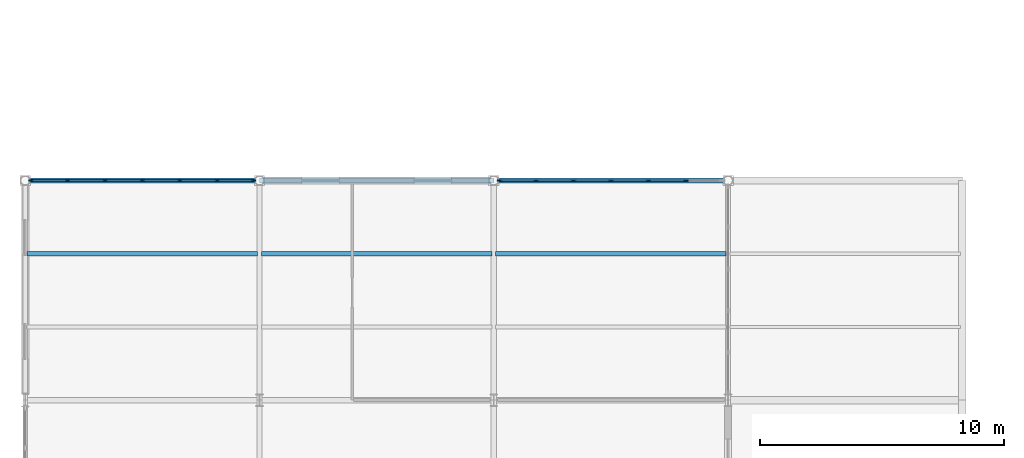
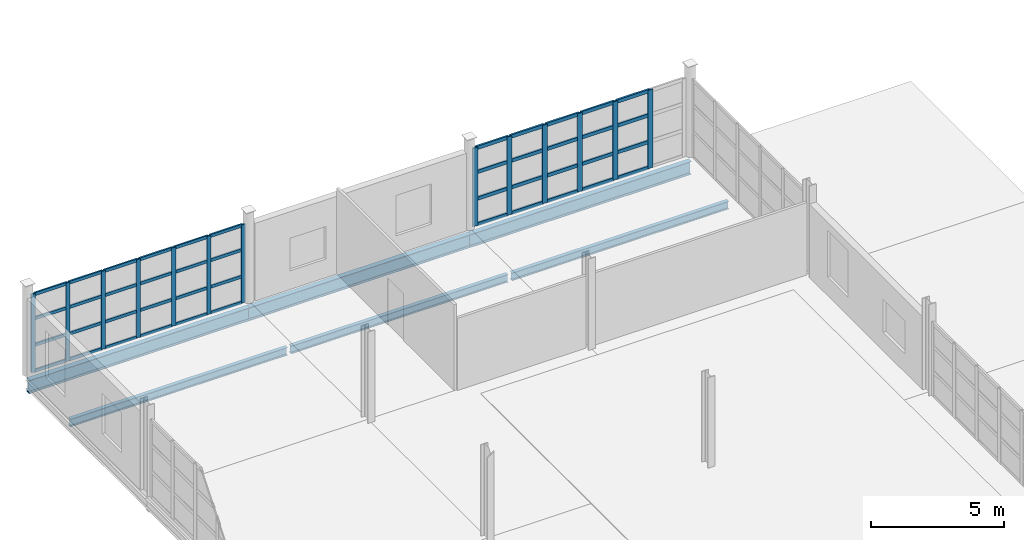
# One storey, part 30 of 82: 57 members, 6 beams, 2 elements without a shape of their own.
"""IFC4 building model written with IfcOpenShell, lengths in metres."""

from ifc_helpers import new_model, si_unit, direction, frame, origin, origin_2d, place, context, subcontext, project, spatial, rectangle, i_section, extrude, material, layer, layer_set, material_profile, profile_set, type_object, element, aggregate, save


model = new_model("IFC4")

# Units and contexts
model_context = context("Model", 3, precision=1e-05, world=origin(), true_north=direction((0.0, 1.0)))
body_context = subcontext(model_context, "Body", "Model", "MODEL_VIEW")
ifc_project = project(units=[si_unit("LENGTHUNIT", "METRE"), si_unit("AREAUNIT", "SQUARE_METRE"), si_unit("VOLUMEUNIT", "CUBIC_METRE"), si_unit("PLANEANGLEUNIT", "RADIAN"), si_unit("MASSUNIT", "GRAM", prefix="KILO")], contexts=[model_context])

# Site, building, storey
site_placement = place(None, origin())
site = spatial("IfcSite", under=ifc_project, at=site_placement, CompositionType="ELEMENT")
building_placement = place(site_placement, origin())
building = spatial("IfcBuilding", under=site, at=building_placement, Name="Zarnetskaya Central Station", CompositionType="ELEMENT")
storey_placement = place(building_placement, frame((0.0, 0.0, 10.199951171875)))
storey = spatial("IfcBuildingStorey", under=building, at=storey_placement, Name="L02", CompositionType="ELEMENT", Elevation=10.199951171875)

# Beams
ifc_material_1 = material(Name="Steel S355", Category="steel")
ifc_material_profile_1 = material_profile(ifc_material_1, i_section(OverallWidth=0.169921875, OverallDepth=0.360107421875, WebThickness=0.008056640625, FlangeThickness=0.0126953125, FilletRadius=0.01806640625, at=origin_2d()), Name="IPE 360")
ifc_profile_set_1 = profile_set([ifc_material_profile_1], Name="Steel S355")
beam_type_1 = type_object("IfcBeamType", Name="BM-SEC-360", PredefinedType="BEAM", material=ifc_profile_set_1)
beam_1_placement = place(storey_placement, frame((0.080078125, 64.199951171875, -0.43994140625), z_axis=(1.0, 0.0, 0.0), x_axis=(0.0, 1.0, 0.0)))
element("IfcBeam", 1, at=beam_1_placement, inside=storey, type_object=beam_type_1, Name="Secondary floor beam SEC-L02-Z994-AB-89-2", PredefinedType="BEAM", context=body_context, shape_type="SweptSolid", body=[
    extrude(i_section(OverallWidth=0.169921875, OverallDepth=0.360107421875, WebThickness=0.008056640625, FlangeThickness=0.0126953125, FilletRadius=0.01806640625, at=origin_2d()), origin(), (0.0, 0.0, 1.0), 9.43994140625),
])
beam_2_placement = place(storey_placement, frame((9.679931640625, 64.199951171875, -0.43994140625), z_axis=(1.0, 0.0, 0.0), x_axis=(0.0, 1.0, 0.0)))
element("IfcBeam", 2, at=beam_2_placement, inside=storey, type_object=beam_type_1, Name="Secondary floor beam SEC-L02-Z994-BC-89-2", PredefinedType="BEAM", context=body_context, shape_type="SweptSolid", body=[
    extrude(i_section(OverallWidth=0.169921875, OverallDepth=0.360107421875, WebThickness=0.008056640625, FlangeThickness=0.0126953125, FilletRadius=0.01806640625, at=origin_2d()), origin(), (0.0, 0.0, 1.0), 9.440185546875),
])
beam_3_placement = place(storey_placement, frame((19.280029296875, 64.199951171875, -0.43994140625), z_axis=(1.0, 0.0, 0.0), x_axis=(0.0, 1.0, 0.0)))
element("IfcBeam", 3, at=beam_3_placement, inside=storey, type_object=beam_type_1, Name="Secondary floor beam SEC-L02-Z994-CD-89-2", PredefinedType="BEAM", context=body_context, shape_type="SweptSolid", body=[
    extrude(i_section(OverallWidth=0.169921875, OverallDepth=0.360107421875, WebThickness=0.008056640625, FlangeThickness=0.0126953125, FilletRadius=0.01806640625, at=origin_2d()), origin(), (0.0, 0.0, 1.0), 9.43994140625),
])

# Curtain wall, members
ifc_material_2 = material(Name="Low-E insulated glass", Category="glass")
ifc_layer_1 = layer(ifc_material_2, 0.172119140625, Name="Low-E insulated glass", Category="glass")
ifc_layer_set_1 = layer_set([ifc_layer_1], Name="Low-E insulated glass")
curtain_wall_type_1 = type_object("IfcCurtainWallType", Name="CW-SYS-04", PredefinedType="USERDEFINED", material=ifc_layer_set_1)
curtain_wall_1_placement = place(storey_placement, origin())
curtain_wall_1 = element("IfcCurtainWall", 4, at=curtain_wall_1_placement, inside=storey, type_object=curtain_wall_type_1, Name="Curtain wall CW-L02-019", ObjectType="CURTAIN WALL", PredefinedType="USERDEFINED")
ifc_material_3 = material(Name="Anodised aluminium", Category="aluminium")
ifc_material_profile_2 = material_profile(ifc_material_3, rectangle(XDim=0.070068359375, YDim=0.179931640625, at=origin_2d()), Name="ALU MULL 70x180")
ifc_profile_set_2 = profile_set([ifc_material_profile_2], Name="Anodised aluminium")
member_type_1 = type_object("IfcMemberType", Name="CW-MULL-180", PredefinedType="MULLION", material=ifc_profile_set_2)
member_1_placement = place(storey_placement, frame((0.23828125, 67.199951171875, 0.0), z_axis=(0.0, 0.0, 1.0), x_axis=(0.0, 1.0, 0.0)))
member_1 = element("IfcMember", 5, at=member_1_placement, type_object=member_type_1, Name="CW-15 mullion 1", PredefinedType="MULLION", context=body_context, shape_type="SweptSolid", body=[
    extrude(rectangle(XDim=0.070068359375, YDim=0.179931640625, at=origin_2d()), origin(), (0.0, 0.0, 1.0), 3.60009765625),
])
member_2_placement = place(storey_placement, frame((1.7353515625, 67.199951171875, 0.0), z_axis=(0.0, 0.0, 1.0), x_axis=(0.0, 1.0, 0.0)))
member_2 = element("IfcMember", 6, at=member_2_placement, type_object=member_type_1, Name="CW-15 mullion 2", PredefinedType="MULLION", context=body_context, shape_type="SweptSolid", body=[
    extrude(rectangle(XDim=0.070068359375, YDim=0.179931640625, at=origin_2d()), origin(), (0.0, 0.0, 1.0), 3.60009765625),
])
member_3_placement = place(storey_placement, frame((3.267822265625, 67.199951171875, 0.0), z_axis=(0.0, 0.0, 1.0), x_axis=(0.0, 1.0, 0.0)))
member_3 = element("IfcMember", 7, at=member_3_placement, type_object=member_type_1, Name="CW-15 mullion 3", PredefinedType="MULLION", context=body_context, shape_type="SweptSolid", body=[
    extrude(rectangle(XDim=0.070068359375, YDim=0.179931640625, at=origin_2d()), origin(), (0.0, 0.0, 1.0), 3.60009765625),
])
member_4_placement = place(storey_placement, frame((4.800048828125, 67.199951171875, 0.0), z_axis=(0.0, 0.0, 1.0), x_axis=(0.0, 1.0, 0.0)))
member_4 = element("IfcMember", 8, at=member_4_placement, type_object=member_type_1, Name="CW-15 mullion 4", PredefinedType="MULLION", context=body_context, shape_type="SweptSolid", body=[
    extrude(rectangle(XDim=0.070068359375, YDim=0.179931640625, at=origin_2d()), origin(), (0.0, 0.0, 1.0), 3.60009765625),
])
member_5_placement = place(storey_placement, frame((6.332275390625, 67.199951171875, 0.0), z_axis=(0.0, 0.0, 1.0), x_axis=(0.0, 1.0, 0.0)))
member_5 = element("IfcMember", 9, at=member_5_placement, type_object=member_type_1, Name="CW-15 mullion 5", PredefinedType="MULLION", context=body_context, shape_type="SweptSolid", body=[
    extrude(rectangle(XDim=0.070068359375, YDim=0.179931640625, at=origin_2d()), origin(), (0.0, 0.0, 1.0), 3.60009765625),
])
member_6_placement = place(storey_placement, frame((7.864501953125, 67.199951171875, 0.0), z_axis=(0.0, 0.0, 1.0), x_axis=(0.0, 1.0, 0.0)))
member_6 = element("IfcMember", 10, at=member_6_placement, type_object=member_type_1, Name="CW-15 mullion 6", PredefinedType="MULLION", context=body_context, shape_type="SweptSolid", body=[
    extrude(rectangle(XDim=0.070068359375, YDim=0.179931640625, at=origin_2d()), origin(), (0.0, 0.0, 1.0), 3.60009765625),
])
member_7_placement = place(storey_placement, frame((9.36181640625, 67.199951171875, 0.0), z_axis=(0.0, 0.0, 1.0), x_axis=(0.0, 1.0, 0.0)))
member_7 = element("IfcMember", 11, at=member_7_placement, type_object=member_type_1, Name="CW-15 mullion 7", PredefinedType="MULLION", context=body_context, shape_type="SweptSolid", body=[
    extrude(rectangle(XDim=0.070068359375, YDim=0.179931640625, at=origin_2d()), origin(), (0.0, 0.0, 1.0), 3.60009765625),
])

ifc_layer_2 = layer(ifc_material_2, 0.159912109375, Name="Low-E insulated glass", Category="glass")
ifc_layer_set_2 = layer_set([ifc_layer_2], Name="Low-E insulated glass")
curtain_wall_type_2 = type_object("IfcCurtainWallType", Name="CW-SYS-06", PredefinedType="USERDEFINED", material=ifc_layer_set_2)
curtain_wall_2_placement = place(storey_placement, origin())
curtain_wall_2 = element("IfcCurtainWall", 12, at=curtain_wall_2_placement, inside=storey, type_object=curtain_wall_type_2, Name="Curtain wall CW-L02-020", ObjectType="CURTAIN WALL", PredefinedType="USERDEFINED")
ifc_material_profile_3 = material_profile(ifc_material_3, rectangle(XDim=0.080078125, YDim=0.219970703125, at=origin_2d()), Name="ALU MULL 80x220")
ifc_profile_set_3 = profile_set([ifc_material_profile_3], Name="Anodised aluminium")
member_type_2 = type_object("IfcMemberType", Name="CW-MULL-220", PredefinedType="MULLION", material=ifc_profile_set_3)
member_8_placement = place(storey_placement, frame((19.443115234375, 67.199951171875, 0.0), z_axis=(0.0, 0.0, 1.0), x_axis=(0.0, 1.0, 0.0)))
member_8 = element("IfcMember", 13, at=member_8_placement, type_object=member_type_2, Name="CW-02 mullion 1", PredefinedType="MULLION", context=body_context, shape_type="SweptSolid", body=[
    extrude(rectangle(XDim=0.080078125, YDim=0.219970703125, at=origin_2d()), origin(), (0.0, 0.0, 1.0), 3.60009765625),
])
member_9_placement = place(storey_placement, frame((20.935546875, 67.199951171875, 0.0), z_axis=(0.0, 0.0, 1.0), x_axis=(0.0, 1.0, 0.0)))
member_9 = element("IfcMember", 14, at=member_9_placement, type_object=member_type_2, Name="CW-02 mullion 2", PredefinedType="MULLION", context=body_context, shape_type="SweptSolid", body=[
    extrude(rectangle(XDim=0.080078125, YDim=0.219970703125, at=origin_2d()), origin(), (0.0, 0.0, 1.0), 3.60009765625),
])
member_10_placement = place(storey_placement, frame((22.4677734375, 67.199951171875, 0.0), z_axis=(0.0, 0.0, 1.0), x_axis=(0.0, 1.0, 0.0)))
member_10 = element("IfcMember", 15, at=member_10_placement, type_object=member_type_2, Name="CW-02 mullion 3", PredefinedType="MULLION", context=body_context, shape_type="SweptSolid", body=[
    extrude(rectangle(XDim=0.080078125, YDim=0.219970703125, at=origin_2d()), origin(), (0.0, 0.0, 1.0), 3.60009765625),
])
member_11_placement = place(storey_placement, frame((24.0, 67.199951171875, 0.0), z_axis=(0.0, 0.0, 1.0), x_axis=(0.0, 1.0, 0.0)))
member_11 = element("IfcMember", 16, at=member_11_placement, type_object=member_type_2, Name="CW-02 mullion 4", PredefinedType="MULLION", context=body_context, shape_type="SweptSolid", body=[
    extrude(rectangle(XDim=0.080078125, YDim=0.219970703125, at=origin_2d()), origin(), (0.0, 0.0, 1.0), 3.60009765625),
])
member_12_placement = place(storey_placement, frame((25.5322265625, 67.199951171875, 0.0), z_axis=(0.0, 0.0, 1.0), x_axis=(0.0, 1.0, 0.0)))
member_12 = element("IfcMember", 17, at=member_12_placement, type_object=member_type_2, Name="CW-02 mullion 5", PredefinedType="MULLION", context=body_context, shape_type="SweptSolid", body=[
    extrude(rectangle(XDim=0.080078125, YDim=0.219970703125, at=origin_2d()), origin(), (0.0, 0.0, 1.0), 3.60009765625),
])
member_13_placement = place(storey_placement, frame((27.064453125, 67.199951171875, 0.0), z_axis=(0.0, 0.0, 1.0), x_axis=(0.0, 1.0, 0.0)))
member_13 = element("IfcMember", 18, at=member_13_placement, type_object=member_type_2, Name="CW-02 mullion 6", PredefinedType="MULLION", context=body_context, shape_type="SweptSolid", body=[
    extrude(rectangle(XDim=0.080078125, YDim=0.219970703125, at=origin_2d()), origin(), (0.0, 0.0, 1.0), 3.60009765625),
])

# Member
ifc_material_profile_4 = material_profile(ifc_material_3, rectangle(XDim=0.070068359375, YDim=0.139892578125, at=origin_2d()), Name="ALU TRAN 70x140")
ifc_profile_set_4 = profile_set([ifc_material_profile_4], Name="Anodised aluminium")
member_type_3 = type_object("IfcMemberType", Name="CW-TRAN-140", PredefinedType="USERDEFINED", material=ifc_profile_set_4)
member_14_placement = place(storey_placement, frame((0.273193359375, 67.199951171875, 0.03515625), z_axis=(1.0, 0.0, 0.0), x_axis=(0.0, 1.0, 0.0)))
member_14 = element("IfcMember", 19, at=member_14_placement, type_object=member_type_3, Name="CW-15 transom 1.1", ObjectType="TRANSOM", PredefinedType="USERDEFINED", context=body_context, shape_type="SweptSolid", body=[
    extrude(rectangle(XDim=0.070068359375, YDim=0.139892578125, at=origin_2d()), origin(), (0.0, 0.0, 1.0), 1.42724609375),
])

member_15_placement = place(storey_placement, frame((0.273193359375, 67.199951171875, 1.22412109375), z_axis=(1.0, 0.0, 0.0), x_axis=(0.0, 1.0, 0.0)))
member_15 = element("IfcMember", 20, at=member_15_placement, type_object=member_type_3, Name="CW-15 transom 1.2", ObjectType="TRANSOM", PredefinedType="USERDEFINED", context=body_context, shape_type="SweptSolid", body=[
    extrude(rectangle(XDim=0.070068359375, YDim=0.139892578125, at=origin_2d()), origin(), (0.0, 0.0, 1.0), 1.42724609375),
])

member_16_placement = place(storey_placement, frame((0.273193359375, 67.199951171875, 2.447998046875), z_axis=(1.0, 0.0, 0.0), x_axis=(0.0, 1.0, 0.0)))
member_16 = element("IfcMember", 21, at=member_16_placement, type_object=member_type_3, Name="CW-15 transom 1.3", ObjectType="TRANSOM", PredefinedType="USERDEFINED", context=body_context, shape_type="SweptSolid", body=[
    extrude(rectangle(XDim=0.070068359375, YDim=0.139892578125, at=origin_2d()), origin(), (0.0, 0.0, 1.0), 1.42724609375),
])

member_17_placement = place(storey_placement, frame((0.273193359375, 67.199951171875, 3.56494140625), z_axis=(1.0, 0.0, 0.0), x_axis=(0.0, 1.0, 0.0)))
member_17 = element("IfcMember", 22, at=member_17_placement, type_object=member_type_3, Name="CW-15 transom 1.4", ObjectType="TRANSOM", PredefinedType="USERDEFINED", context=body_context, shape_type="SweptSolid", body=[
    extrude(rectangle(XDim=0.070068359375, YDim=0.139892578125, at=origin_2d()), origin(), (0.0, 0.0, 1.0), 1.42724609375),
])

member_18_placement = place(storey_placement, frame((1.7705078125, 67.199951171875, 0.03515625), z_axis=(1.0, 0.0, 0.0), x_axis=(0.0, 1.0, 0.0)))
member_18 = element("IfcMember", 23, at=member_18_placement, type_object=member_type_3, Name="CW-15 transom 2.1", ObjectType="TRANSOM", PredefinedType="USERDEFINED", context=body_context, shape_type="SweptSolid", body=[
    extrude(rectangle(XDim=0.070068359375, YDim=0.139892578125, at=origin_2d()), origin(), (0.0, 0.0, 1.0), 1.462158203125),
])

member_19_placement = place(storey_placement, frame((1.7705078125, 67.199951171875, 1.22412109375), z_axis=(1.0, 0.0, 0.0), x_axis=(0.0, 1.0, 0.0)))
member_19 = element("IfcMember", 24, at=member_19_placement, type_object=member_type_3, Name="CW-15 transom 2.2", ObjectType="TRANSOM", PredefinedType="USERDEFINED", context=body_context, shape_type="SweptSolid", body=[
    extrude(rectangle(XDim=0.070068359375, YDim=0.139892578125, at=origin_2d()), origin(), (0.0, 0.0, 1.0), 1.462158203125),
])

member_20_placement = place(storey_placement, frame((1.7705078125, 67.199951171875, 2.447998046875), z_axis=(1.0, 0.0, 0.0), x_axis=(0.0, 1.0, 0.0)))
member_20 = element("IfcMember", 25, at=member_20_placement, type_object=member_type_3, Name="CW-15 transom 2.3", ObjectType="TRANSOM", PredefinedType="USERDEFINED", context=body_context, shape_type="SweptSolid", body=[
    extrude(rectangle(XDim=0.070068359375, YDim=0.139892578125, at=origin_2d()), origin(), (0.0, 0.0, 1.0), 1.462158203125),
])

member_21_placement = place(storey_placement, frame((1.7705078125, 67.199951171875, 3.56494140625), z_axis=(1.0, 0.0, 0.0), x_axis=(0.0, 1.0, 0.0)))
member_21 = element("IfcMember", 26, at=member_21_placement, type_object=member_type_3, Name="CW-15 transom 2.4", ObjectType="TRANSOM", PredefinedType="USERDEFINED", context=body_context, shape_type="SweptSolid", body=[
    extrude(rectangle(XDim=0.070068359375, YDim=0.139892578125, at=origin_2d()), origin(), (0.0, 0.0, 1.0), 1.462158203125),
])

member_22_placement = place(storey_placement, frame((3.302734375, 67.199951171875, 0.03515625), z_axis=(1.0, 0.0, 0.0), x_axis=(0.0, 1.0, 0.0)))
member_22 = element("IfcMember", 27, at=member_22_placement, type_object=member_type_3, Name="CW-15 transom 3.1", ObjectType="TRANSOM", PredefinedType="USERDEFINED", context=body_context, shape_type="SweptSolid", body=[
    extrude(rectangle(XDim=0.070068359375, YDim=0.139892578125, at=origin_2d()), origin(), (0.0, 0.0, 1.0), 1.462158203125),
])

member_23_placement = place(storey_placement, frame((3.302734375, 67.199951171875, 1.22412109375), z_axis=(1.0, 0.0, 0.0), x_axis=(0.0, 1.0, 0.0)))
member_23 = element("IfcMember", 28, at=member_23_placement, type_object=member_type_3, Name="CW-15 transom 3.2", ObjectType="TRANSOM", PredefinedType="USERDEFINED", context=body_context, shape_type="SweptSolid", body=[
    extrude(rectangle(XDim=0.070068359375, YDim=0.139892578125, at=origin_2d()), origin(), (0.0, 0.0, 1.0), 1.462158203125),
])

member_24_placement = place(storey_placement, frame((3.302734375, 67.199951171875, 2.447998046875), z_axis=(1.0, 0.0, 0.0), x_axis=(0.0, 1.0, 0.0)))
member_24 = element("IfcMember", 29, at=member_24_placement, type_object=member_type_3, Name="CW-15 transom 3.3", ObjectType="TRANSOM", PredefinedType="USERDEFINED", context=body_context, shape_type="SweptSolid", body=[
    extrude(rectangle(XDim=0.070068359375, YDim=0.139892578125, at=origin_2d()), origin(), (0.0, 0.0, 1.0), 1.462158203125),
])

member_25_placement = place(storey_placement, frame((3.302734375, 67.199951171875, 3.56494140625), z_axis=(1.0, 0.0, 0.0), x_axis=(0.0, 1.0, 0.0)))
member_25 = element("IfcMember", 30, at=member_25_placement, type_object=member_type_3, Name="CW-15 transom 3.4", ObjectType="TRANSOM", PredefinedType="USERDEFINED", context=body_context, shape_type="SweptSolid", body=[
    extrude(rectangle(XDim=0.070068359375, YDim=0.139892578125, at=origin_2d()), origin(), (0.0, 0.0, 1.0), 1.462158203125),
])

member_26_placement = place(storey_placement, frame((4.8349609375, 67.199951171875, 0.03515625), z_axis=(1.0, 0.0, 0.0), x_axis=(0.0, 1.0, 0.0)))
member_26 = element("IfcMember", 31, at=member_26_placement, type_object=member_type_3, Name="CW-15 transom 4.1", ObjectType="TRANSOM", PredefinedType="USERDEFINED", context=body_context, shape_type="SweptSolid", body=[
    extrude(rectangle(XDim=0.070068359375, YDim=0.139892578125, at=origin_2d()), origin(), (0.0, 0.0, 1.0), 1.46240234375),
])

member_27_placement = place(storey_placement, frame((4.8349609375, 67.199951171875, 1.22412109375), z_axis=(1.0, 0.0, 0.0), x_axis=(0.0, 1.0, 0.0)))
member_27 = element("IfcMember", 32, at=member_27_placement, type_object=member_type_3, Name="CW-15 transom 4.2", ObjectType="TRANSOM", PredefinedType="USERDEFINED", context=body_context, shape_type="SweptSolid", body=[
    extrude(rectangle(XDim=0.070068359375, YDim=0.139892578125, at=origin_2d()), origin(), (0.0, 0.0, 1.0), 1.46240234375),
])

member_28_placement = place(storey_placement, frame((4.8349609375, 67.199951171875, 2.447998046875), z_axis=(1.0, 0.0, 0.0), x_axis=(0.0, 1.0, 0.0)))
member_28 = element("IfcMember", 33, at=member_28_placement, type_object=member_type_3, Name="CW-15 transom 4.3", ObjectType="TRANSOM", PredefinedType="USERDEFINED", context=body_context, shape_type="SweptSolid", body=[
    extrude(rectangle(XDim=0.070068359375, YDim=0.139892578125, at=origin_2d()), origin(), (0.0, 0.0, 1.0), 1.46240234375),
])

member_29_placement = place(storey_placement, frame((4.8349609375, 67.199951171875, 3.56494140625), z_axis=(1.0, 0.0, 0.0), x_axis=(0.0, 1.0, 0.0)))
member_29 = element("IfcMember", 34, at=member_29_placement, type_object=member_type_3, Name="CW-15 transom 4.4", ObjectType="TRANSOM", PredefinedType="USERDEFINED", context=body_context, shape_type="SweptSolid", body=[
    extrude(rectangle(XDim=0.070068359375, YDim=0.139892578125, at=origin_2d()), origin(), (0.0, 0.0, 1.0), 1.46240234375),
])

member_30_placement = place(storey_placement, frame((6.3671875, 67.199951171875, 0.03515625), z_axis=(1.0, 0.0, 0.0), x_axis=(0.0, 1.0, 0.0)))
member_30 = element("IfcMember", 35, at=member_30_placement, type_object=member_type_3, Name="CW-15 transom 5.1", ObjectType="TRANSOM", PredefinedType="USERDEFINED", context=body_context, shape_type="SweptSolid", body=[
    extrude(rectangle(XDim=0.070068359375, YDim=0.139892578125, at=origin_2d()), origin(), (0.0, 0.0, 1.0), 1.46240234375),
])

member_31_placement = place(storey_placement, frame((6.3671875, 67.199951171875, 1.22412109375), z_axis=(1.0, 0.0, 0.0), x_axis=(0.0, 1.0, 0.0)))
member_31 = element("IfcMember", 36, at=member_31_placement, type_object=member_type_3, Name="CW-15 transom 5.2", ObjectType="TRANSOM", PredefinedType="USERDEFINED", context=body_context, shape_type="SweptSolid", body=[
    extrude(rectangle(XDim=0.070068359375, YDim=0.139892578125, at=origin_2d()), origin(), (0.0, 0.0, 1.0), 1.46240234375),
])

member_32_placement = place(storey_placement, frame((6.3671875, 67.199951171875, 2.447998046875), z_axis=(1.0, 0.0, 0.0), x_axis=(0.0, 1.0, 0.0)))
member_32 = element("IfcMember", 37, at=member_32_placement, type_object=member_type_3, Name="CW-15 transom 5.3", ObjectType="TRANSOM", PredefinedType="USERDEFINED", context=body_context, shape_type="SweptSolid", body=[
    extrude(rectangle(XDim=0.070068359375, YDim=0.139892578125, at=origin_2d()), origin(), (0.0, 0.0, 1.0), 1.46240234375),
])

member_33_placement = place(storey_placement, frame((6.3671875, 67.199951171875, 3.56494140625), z_axis=(1.0, 0.0, 0.0), x_axis=(0.0, 1.0, 0.0)))
member_33 = element("IfcMember", 38, at=member_33_placement, type_object=member_type_3, Name="CW-15 transom 5.4", ObjectType="TRANSOM", PredefinedType="USERDEFINED", context=body_context, shape_type="SweptSolid", body=[
    extrude(rectangle(XDim=0.070068359375, YDim=0.139892578125, at=origin_2d()), origin(), (0.0, 0.0, 1.0), 1.46240234375),
])

member_34_placement = place(storey_placement, frame((7.8994140625, 67.199951171875, 0.03515625), z_axis=(1.0, 0.0, 0.0), x_axis=(0.0, 1.0, 0.0)))
member_34 = element("IfcMember", 39, at=member_34_placement, type_object=member_type_3, Name="CW-15 transom 6.1", ObjectType="TRANSOM", PredefinedType="USERDEFINED", context=body_context, shape_type="SweptSolid", body=[
    extrude(rectangle(XDim=0.070068359375, YDim=0.139892578125, at=origin_2d()), origin(), (0.0, 0.0, 1.0), 1.427490234375),
])

member_35_placement = place(storey_placement, frame((7.8994140625, 67.199951171875, 1.22412109375), z_axis=(1.0, 0.0, 0.0), x_axis=(0.0, 1.0, 0.0)))
member_35 = element("IfcMember", 40, at=member_35_placement, type_object=member_type_3, Name="CW-15 transom 6.2", ObjectType="TRANSOM", PredefinedType="USERDEFINED", context=body_context, shape_type="SweptSolid", body=[
    extrude(rectangle(XDim=0.070068359375, YDim=0.139892578125, at=origin_2d()), origin(), (0.0, 0.0, 1.0), 1.427490234375),
])

member_36_placement = place(storey_placement, frame((7.8994140625, 67.199951171875, 2.447998046875), z_axis=(1.0, 0.0, 0.0), x_axis=(0.0, 1.0, 0.0)))
member_36 = element("IfcMember", 41, at=member_36_placement, type_object=member_type_3, Name="CW-15 transom 6.3", ObjectType="TRANSOM", PredefinedType="USERDEFINED", context=body_context, shape_type="SweptSolid", body=[
    extrude(rectangle(XDim=0.070068359375, YDim=0.139892578125, at=origin_2d()), origin(), (0.0, 0.0, 1.0), 1.427490234375),
])

member_37_placement = place(storey_placement, frame((7.8994140625, 67.199951171875, 3.56494140625), z_axis=(1.0, 0.0, 0.0), x_axis=(0.0, 1.0, 0.0)))
member_37 = element("IfcMember", 42, at=member_37_placement, type_object=member_type_3, Name="CW-15 transom 6.4", ObjectType="TRANSOM", PredefinedType="USERDEFINED", context=body_context, shape_type="SweptSolid", body=[
    extrude(rectangle(XDim=0.070068359375, YDim=0.139892578125, at=origin_2d()), origin(), (0.0, 0.0, 1.0), 1.427490234375),
])

aggregate(curtain_wall_1, [member_1, member_2, member_3, member_4, member_5, member_6, member_7, member_14, member_15, member_16, member_17, member_18, member_19, member_20, member_21, member_22, member_23, member_24, member_25, member_26, member_27, member_28, member_29, member_30, member_31, member_32, member_33, member_34, member_35, member_36, member_37])

ifc_material_profile_5 = material_profile(ifc_material_3, rectangle(XDim=0.080078125, YDim=0.159912109375, at=origin_2d()), Name="ALU TRAN 80x160")
ifc_profile_set_5 = profile_set([ifc_material_profile_5], Name="Anodised aluminium")
member_type_4 = type_object("IfcMemberType", Name="CW-TRAN-160", PredefinedType="USERDEFINED", material=ifc_profile_set_5)
member_38_placement = place(storey_placement, frame((19.483154296875, 67.199951171875, 0.0400390625), z_axis=(1.0, 0.0, 0.0), x_axis=(0.0, 1.0, 0.0)))
member_38 = element("IfcMember", 43, at=member_38_placement, type_object=member_type_4, Name="CW-02 transom 1.1", ObjectType="TRANSOM", PredefinedType="USERDEFINED", context=body_context, shape_type="SweptSolid", body=[
    extrude(rectangle(XDim=0.080078125, YDim=0.159912109375, at=origin_2d()), origin(), (0.0, 0.0, 1.0), 1.412353515625),
])

member_39_placement = place(storey_placement, frame((19.483154296875, 67.199951171875, 1.22412109375), z_axis=(1.0, 0.0, 0.0), x_axis=(0.0, 1.0, 0.0)))
member_39 = element("IfcMember", 44, at=member_39_placement, type_object=member_type_4, Name="CW-02 transom 1.2", ObjectType="TRANSOM", PredefinedType="USERDEFINED", context=body_context, shape_type="SweptSolid", body=[
    extrude(rectangle(XDim=0.080078125, YDim=0.159912109375, at=origin_2d()), origin(), (0.0, 0.0, 1.0), 1.412353515625),
])

member_40_placement = place(storey_placement, frame((19.483154296875, 67.199951171875, 2.447998046875), z_axis=(1.0, 0.0, 0.0), x_axis=(0.0, 1.0, 0.0)))
member_40 = element("IfcMember", 45, at=member_40_placement, type_object=member_type_4, Name="CW-02 transom 1.3", ObjectType="TRANSOM", PredefinedType="USERDEFINED", context=body_context, shape_type="SweptSolid", body=[
    extrude(rectangle(XDim=0.080078125, YDim=0.159912109375, at=origin_2d()), origin(), (0.0, 0.0, 1.0), 1.412353515625),
])

member_41_placement = place(storey_placement, frame((19.483154296875, 67.199951171875, 3.56005859375), z_axis=(1.0, 0.0, 0.0), x_axis=(0.0, 1.0, 0.0)))
member_41 = element("IfcMember", 46, at=member_41_placement, type_object=member_type_4, Name="CW-02 transom 1.4", ObjectType="TRANSOM", PredefinedType="USERDEFINED", context=body_context, shape_type="SweptSolid", body=[
    extrude(rectangle(XDim=0.080078125, YDim=0.159912109375, at=origin_2d()), origin(), (0.0, 0.0, 1.0), 1.412353515625),
])

member_42_placement = place(storey_placement, frame((20.9755859375, 67.199951171875, 0.0400390625), z_axis=(1.0, 0.0, 0.0), x_axis=(0.0, 1.0, 0.0)))
member_42 = element("IfcMember", 47, at=member_42_placement, type_object=member_type_4, Name="CW-02 transom 2.1", ObjectType="TRANSOM", PredefinedType="USERDEFINED", context=body_context, shape_type="SweptSolid", body=[
    extrude(rectangle(XDim=0.080078125, YDim=0.159912109375, at=origin_2d()), origin(), (0.0, 0.0, 1.0), 1.4521484375),
])

member_43_placement = place(storey_placement, frame((20.9755859375, 67.199951171875, 1.22412109375), z_axis=(1.0, 0.0, 0.0), x_axis=(0.0, 1.0, 0.0)))
member_43 = element("IfcMember", 48, at=member_43_placement, type_object=member_type_4, Name="CW-02 transom 2.2", ObjectType="TRANSOM", PredefinedType="USERDEFINED", context=body_context, shape_type="SweptSolid", body=[
    extrude(rectangle(XDim=0.080078125, YDim=0.159912109375, at=origin_2d()), origin(), (0.0, 0.0, 1.0), 1.4521484375),
])

member_44_placement = place(storey_placement, frame((20.9755859375, 67.199951171875, 2.447998046875), z_axis=(1.0, 0.0, 0.0), x_axis=(0.0, 1.0, 0.0)))
member_44 = element("IfcMember", 49, at=member_44_placement, type_object=member_type_4, Name="CW-02 transom 2.3", ObjectType="TRANSOM", PredefinedType="USERDEFINED", context=body_context, shape_type="SweptSolid", body=[
    extrude(rectangle(XDim=0.080078125, YDim=0.159912109375, at=origin_2d()), origin(), (0.0, 0.0, 1.0), 1.4521484375),
])

member_45_placement = place(storey_placement, frame((20.9755859375, 67.199951171875, 3.56005859375), z_axis=(1.0, 0.0, 0.0), x_axis=(0.0, 1.0, 0.0)))
member_45 = element("IfcMember", 50, at=member_45_placement, type_object=member_type_4, Name="CW-02 transom 2.4", ObjectType="TRANSOM", PredefinedType="USERDEFINED", context=body_context, shape_type="SweptSolid", body=[
    extrude(rectangle(XDim=0.080078125, YDim=0.159912109375, at=origin_2d()), origin(), (0.0, 0.0, 1.0), 1.4521484375),
])

member_46_placement = place(storey_placement, frame((22.5078125, 67.199951171875, 0.0400390625), z_axis=(1.0, 0.0, 0.0), x_axis=(0.0, 1.0, 0.0)))
member_46 = element("IfcMember", 51, at=member_46_placement, type_object=member_type_4, Name="CW-02 transom 3.1", ObjectType="TRANSOM", PredefinedType="USERDEFINED", context=body_context, shape_type="SweptSolid", body=[
    extrude(rectangle(XDim=0.080078125, YDim=0.159912109375, at=origin_2d()), origin(), (0.0, 0.0, 1.0), 1.4521484375),
])

member_47_placement = place(storey_placement, frame((22.5078125, 67.199951171875, 1.22412109375), z_axis=(1.0, 0.0, 0.0), x_axis=(0.0, 1.0, 0.0)))
member_47 = element("IfcMember", 52, at=member_47_placement, type_object=member_type_4, Name="CW-02 transom 3.2", ObjectType="TRANSOM", PredefinedType="USERDEFINED", context=body_context, shape_type="SweptSolid", body=[
    extrude(rectangle(XDim=0.080078125, YDim=0.159912109375, at=origin_2d()), origin(), (0.0, 0.0, 1.0), 1.4521484375),
])

member_48_placement = place(storey_placement, frame((22.5078125, 67.199951171875, 2.447998046875), z_axis=(1.0, 0.0, 0.0), x_axis=(0.0, 1.0, 0.0)))
member_48 = element("IfcMember", 53, at=member_48_placement, type_object=member_type_4, Name="CW-02 transom 3.3", ObjectType="TRANSOM", PredefinedType="USERDEFINED", context=body_context, shape_type="SweptSolid", body=[
    extrude(rectangle(XDim=0.080078125, YDim=0.159912109375, at=origin_2d()), origin(), (0.0, 0.0, 1.0), 1.4521484375),
])

member_49_placement = place(storey_placement, frame((22.5078125, 67.199951171875, 3.56005859375), z_axis=(1.0, 0.0, 0.0), x_axis=(0.0, 1.0, 0.0)))
member_49 = element("IfcMember", 54, at=member_49_placement, type_object=member_type_4, Name="CW-02 transom 3.4", ObjectType="TRANSOM", PredefinedType="USERDEFINED", context=body_context, shape_type="SweptSolid", body=[
    extrude(rectangle(XDim=0.080078125, YDim=0.159912109375, at=origin_2d()), origin(), (0.0, 0.0, 1.0), 1.4521484375),
])

member_50_placement = place(storey_placement, frame((24.0400390625, 67.199951171875, 0.0400390625), z_axis=(1.0, 0.0, 0.0), x_axis=(0.0, 1.0, 0.0)))
member_50 = element("IfcMember", 55, at=member_50_placement, type_object=member_type_4, Name="CW-02 transom 4.1", ObjectType="TRANSOM", PredefinedType="USERDEFINED", context=body_context, shape_type="SweptSolid", body=[
    extrude(rectangle(XDim=0.080078125, YDim=0.159912109375, at=origin_2d()), origin(), (0.0, 0.0, 1.0), 1.4521484375),
])

member_51_placement = place(storey_placement, frame((24.0400390625, 67.199951171875, 1.22412109375), z_axis=(1.0, 0.0, 0.0), x_axis=(0.0, 1.0, 0.0)))
member_51 = element("IfcMember", 56, at=member_51_placement, type_object=member_type_4, Name="CW-02 transom 4.2", ObjectType="TRANSOM", PredefinedType="USERDEFINED", context=body_context, shape_type="SweptSolid", body=[
    extrude(rectangle(XDim=0.080078125, YDim=0.159912109375, at=origin_2d()), origin(), (0.0, 0.0, 1.0), 1.4521484375),
])

member_52_placement = place(storey_placement, frame((24.0400390625, 67.199951171875, 2.447998046875), z_axis=(1.0, 0.0, 0.0), x_axis=(0.0, 1.0, 0.0)))
member_52 = element("IfcMember", 57, at=member_52_placement, type_object=member_type_4, Name="CW-02 transom 4.3", ObjectType="TRANSOM", PredefinedType="USERDEFINED", context=body_context, shape_type="SweptSolid", body=[
    extrude(rectangle(XDim=0.080078125, YDim=0.159912109375, at=origin_2d()), origin(), (0.0, 0.0, 1.0), 1.4521484375),
])

member_53_placement = place(storey_placement, frame((24.0400390625, 67.199951171875, 3.56005859375), z_axis=(1.0, 0.0, 0.0), x_axis=(0.0, 1.0, 0.0)))
member_53 = element("IfcMember", 58, at=member_53_placement, type_object=member_type_4, Name="CW-02 transom 4.4", ObjectType="TRANSOM", PredefinedType="USERDEFINED", context=body_context, shape_type="SweptSolid", body=[
    extrude(rectangle(XDim=0.080078125, YDim=0.159912109375, at=origin_2d()), origin(), (0.0, 0.0, 1.0), 1.4521484375),
])

member_54_placement = place(storey_placement, frame((25.572265625, 67.199951171875, 0.0400390625), z_axis=(1.0, 0.0, 0.0), x_axis=(0.0, 1.0, 0.0)))
member_54 = element("IfcMember", 59, at=member_54_placement, type_object=member_type_4, Name="CW-02 transom 5.1", ObjectType="TRANSOM", PredefinedType="USERDEFINED", context=body_context, shape_type="SweptSolid", body=[
    extrude(rectangle(XDim=0.080078125, YDim=0.159912109375, at=origin_2d()), origin(), (0.0, 0.0, 1.0), 1.4521484375),
])

member_55_placement = place(storey_placement, frame((25.572265625, 67.199951171875, 1.22412109375), z_axis=(1.0, 0.0, 0.0), x_axis=(0.0, 1.0, 0.0)))
member_55 = element("IfcMember", 60, at=member_55_placement, type_object=member_type_4, Name="CW-02 transom 5.2", ObjectType="TRANSOM", PredefinedType="USERDEFINED", context=body_context, shape_type="SweptSolid", body=[
    extrude(rectangle(XDim=0.080078125, YDim=0.159912109375, at=origin_2d()), origin(), (0.0, 0.0, 1.0), 1.4521484375),
])

member_56_placement = place(storey_placement, frame((25.572265625, 67.199951171875, 2.447998046875), z_axis=(1.0, 0.0, 0.0), x_axis=(0.0, 1.0, 0.0)))
member_56 = element("IfcMember", 61, at=member_56_placement, type_object=member_type_4, Name="CW-02 transom 5.3", ObjectType="TRANSOM", PredefinedType="USERDEFINED", context=body_context, shape_type="SweptSolid", body=[
    extrude(rectangle(XDim=0.080078125, YDim=0.159912109375, at=origin_2d()), origin(), (0.0, 0.0, 1.0), 1.4521484375),
])

member_57_placement = place(storey_placement, frame((25.572265625, 67.199951171875, 3.56005859375), z_axis=(1.0, 0.0, 0.0), x_axis=(0.0, 1.0, 0.0)))
member_57 = element("IfcMember", 62, at=member_57_placement, type_object=member_type_4, Name="CW-02 transom 5.4", ObjectType="TRANSOM", PredefinedType="USERDEFINED", context=body_context, shape_type="SweptSolid", body=[
    extrude(rectangle(XDim=0.080078125, YDim=0.159912109375, at=origin_2d()), origin(), (0.0, 0.0, 1.0), 1.4521484375),
])

aggregate(curtain_wall_2, [member_8, member_9, member_10, member_11, member_12, member_13, member_38, member_39, member_40, member_41, member_42, member_43, member_44, member_45, member_46, member_47, member_48, member_49, member_50, member_51, member_52, member_53, member_54, member_55, member_56, member_57])

# Beams
ifc_material_profile_6 = material_profile(ifc_material_1, i_section(OverallWidth=0.219970703125, OverallDepth=0.60009765625, WebThickness=0.011962890625, FlangeThickness=0.01904296875, FilletRadius=0.02392578125, at=origin_2d()), Name="IPE 600")
ifc_profile_set_6 = profile_set([ifc_material_profile_6], Name="Steel S355")
beam_type_2 = type_object("IfcBeamType", Name="GD-FLR-600", PredefinedType="USERDEFINED", material=ifc_profile_set_6)
beam_4_placement = place(storey_placement, frame((0.0, 67.199951171875, -0.56005859375), z_axis=(1.0, 0.0, 0.0), x_axis=(0.0, 1.0, 0.0)))
element("IfcBeam", 63, at=beam_4_placement, inside=storey, type_object=beam_type_2, Name="Grid girder GX-L02-9-AB", ObjectType="GIRDER", PredefinedType="USERDEFINED", context=body_context, shape_type="SweptSolid", body=[
    extrude(i_section(OverallWidth=0.219970703125, OverallDepth=0.60009765625, WebThickness=0.011962890625, FlangeThickness=0.01904296875, FilletRadius=0.02392578125, at=origin_2d()), origin(), (0.0, 0.0, 1.0), 9.60009765625),
])
beam_5_placement = place(storey_placement, frame((9.60009765625, 67.199951171875, -0.56005859375), z_axis=(1.0, 0.0, 0.0), x_axis=(0.0, 1.0, 0.0)))
element("IfcBeam", 64, at=beam_5_placement, inside=storey, type_object=beam_type_2, Name="Grid girder GX-L02-9-BC", ObjectType="GIRDER", PredefinedType="USERDEFINED", context=body_context, shape_type="SweptSolid", body=[
    extrude(i_section(OverallWidth=0.219970703125, OverallDepth=0.60009765625, WebThickness=0.011962890625, FlangeThickness=0.01904296875, FilletRadius=0.02392578125, at=origin_2d()), origin(), (0.0, 0.0, 1.0), 9.599853515625),
])
beam_6_placement = place(storey_placement, frame((19.199951171875, 67.199951171875, -0.56005859375), z_axis=(1.0, 0.0, 0.0), x_axis=(0.0, 1.0, 0.0)))
element("IfcBeam", 65, at=beam_6_placement, inside=storey, type_object=beam_type_2, Name="Grid girder GX-L02-9-CD", ObjectType="GIRDER", PredefinedType="USERDEFINED", context=body_context, shape_type="SweptSolid", body=[
    extrude(i_section(OverallWidth=0.219970703125, OverallDepth=0.60009765625, WebThickness=0.011962890625, FlangeThickness=0.01904296875, FilletRadius=0.02392578125, at=origin_2d()), origin(), (0.0, 0.0, 1.0), 9.60009765625),
])

save(model, "model.ifc")
